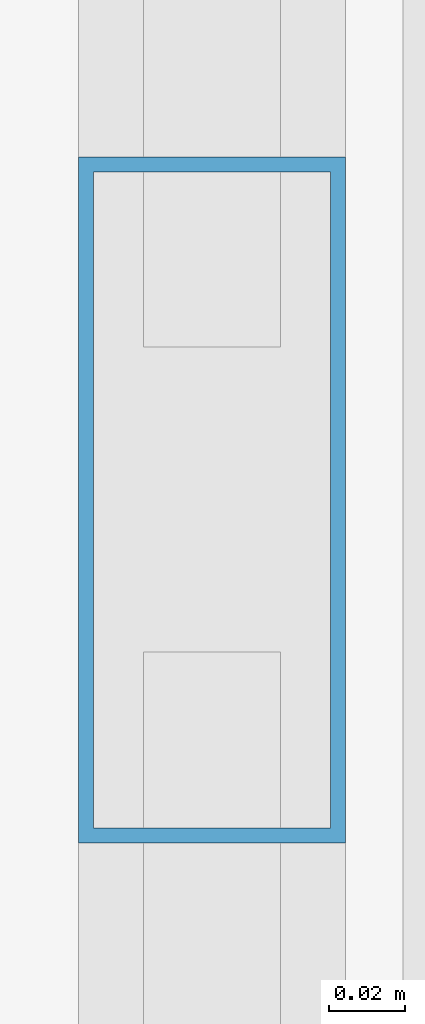
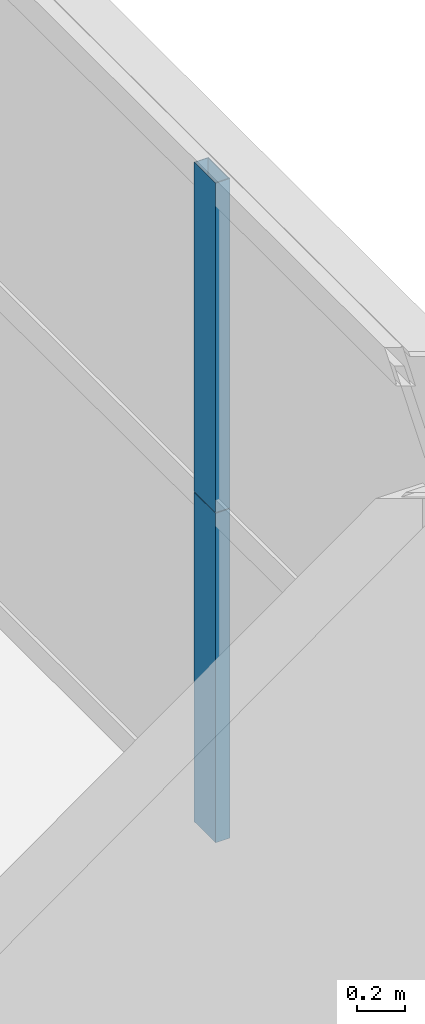
# One storey, part 30 of 41: 2 members, 1 element without a shape of its own.
"""IFC4 building model written with IfcOpenShell, lengths in metres."""

import ifcopenshell
import ifcopenshell.guid

model = None  # the IFC model being written
_history = None  # IfcOwnerHistory: only IFC2X3 demands one
_inside = {}  # id of a spatial element -> (the spatial element, [elements in it])
_under = {}  # id of a project, library or spatial element -> (it, [spatial elements below it])
_declared = {}  # id of a project -> (the project, [libraries it declares])
_typed = {}  # id of a type object -> (the type object, [elements of that type])
_made_of = {}  # id of a material, layer set ... -> (it, [elements and type objects made of it])


def new_model(schema):
    """Start an empty IFC model of exactly this schema.

    Asked for "IFC4X3", IfcOpenShell would pick the latest addendum, in which some entities
    have other attributes; the version numbers below select the first issue.
    IFC2X3 requires an IfcOwnerHistory on every rooted entity: one is made here for all.
    """
    global model, _history
    if schema == "IFC4X3":
        model = ifcopenshell.file(schema_version=(4, 3, 0, 0))
    else:
        model = ifcopenshell.file(schema=schema)
    _inside.clear()
    _under.clear()
    _declared.clear()
    _typed.clear()
    _made_of.clear()
    _history = None
    if model.schema == "IFC2X3":
        org = make("IfcOrganization", Name="unknown")
        user = make(
            "IfcPersonAndOrganization",
            ThePerson=make("IfcPerson", FamilyName="unknown"),
            TheOrganization=org,
        )
        app = make(
            "IfcApplication",
            ApplicationDeveloper=org,
            Version="unknown",
            ApplicationFullName="unknown",
            ApplicationIdentifier="unknown",
        )
        _history = make(
            "IfcOwnerHistory",
            OwningUser=user,
            OwningApplication=app,
            ChangeAction="ADDED",
            CreationDate=0,
        )
    return model


def make(cls, **values):
    """One entity of the class cls with the attributes given. An attribute that is None is left unset."""
    return model.create_entity(
        cls, **{name: value for name, value in values.items() if value is not None}
    )


def rooted(cls, **values):
    """An entity with a GlobalId (a new one), such as an element, a storey or a relation."""
    return make(cls, GlobalId=ifcopenshell.guid.new(), OwnerHistory=_history, **values)


def si_unit(unit_type, name, prefix=None):
    """IfcSIUnit, for example si_unit("LENGTHUNIT", "METRE", prefix="MILLI")."""
    return make("IfcSIUnit", UnitType=unit_type, Prefix=prefix, Name=name)


def assignment(units):
    """IfcUnitAssignment: the units of a project."""
    return None if units is None else make("IfcUnitAssignment", Units=units)


def point(xyz):
    """IfcCartesianPoint."""
    return None if xyz is None else make("IfcCartesianPoint", Coordinates=xyz)


def direction(xyz):
    """IfcDirection."""
    return None if xyz is None else make("IfcDirection", DirectionRatios=xyz)


def frame(location, z_axis=None, x_axis=None):
    """IfcAxis2Placement3D, a coordinate frame: its origin and axes. An axis left out is left unset."""
    return make(
        "IfcAxis2Placement3D",
        Location=point(location),
        Axis=direction(z_axis),
        RefDirection=direction(x_axis),
    )


def frame_2d(location, x_axis=None):
    """IfcAxis2Placement2D, a coordinate frame in the plane: its origin and x axis."""
    return make(
        "IfcAxis2Placement2D", Location=point(location), RefDirection=direction(x_axis)
    )


def origin():
    """The frame at (0, 0, 0) with its axes left unset."""
    return frame((0.0, 0.0, 0.0))


def origin_2d():
    """The frame at (0, 0) in the plane with its x axis left unset."""
    return frame_2d((0.0, 0.0))


def place(relative_to, where):
    """IfcLocalPlacement: puts the frame where relative to a parent placement (None: the world)."""
    return make(
        "IfcLocalPlacement", PlacementRelTo=relative_to, RelativePlacement=where
    )


def context(
    kind, dimensions, precision=None, world=None, true_north=None, identifier=None
):
    """IfcGeometricRepresentationContext, for example the 3D "Model" context."""
    return make(
        "IfcGeometricRepresentationContext",
        ContextIdentifier=identifier,
        ContextType=kind,
        CoordinateSpaceDimension=dimensions,
        Precision=precision,
        WorldCoordinateSystem=world,
        TrueNorth=true_north,
    )


def subcontext(parent, identifier, kind, view, scale=None):
    """IfcGeometricRepresentationSubContext, for example "Body" below "Model"."""
    return make(
        "IfcGeometricRepresentationSubContext",
        ContextIdentifier=identifier,
        ContextType=kind,
        ParentContext=parent,
        TargetScale=scale,
        TargetView=view,
    )


def project(units=None, contexts=None):
    """IfcProject with its units and contexts."""
    return rooted(
        "IfcProject",
        Name="project",
        RepresentationContexts=contexts,
        UnitsInContext=assignment(units),
    )


def spatial(cls, under=None, at=None, **own):
    """A site, building, storey or space (cls), placed at a placement, below another one or the project."""
    s = rooted(cls, ObjectPlacement=at, **own)
    if under is not None:
        _under.setdefault(under.id(), (under, []))[1].append(s)
    return s


def profile(cls, at=None, kind="AREA", **sizes):
    """A parametric profile (cls). Its sizes go by their IFC names, for example OverallWidth=200.0."""
    return make(cls, ProfileType=kind, Position=at, **sizes)


def hollow_rectangle(**sizes):
    """IfcRectangleHollowProfileDef."""
    return profile("IfcRectangleHollowProfileDef", **sizes)


def extrude(swept, where, along, depth):
    """IfcExtrudedAreaSolid: the profile swept, set in the frame where, extruded along a direction by depth."""
    return make(
        "IfcExtrudedAreaSolid",
        SweptArea=swept,
        Position=where,
        ExtrudedDirection=direction(along),
        Depth=depth,
    )


def shape(context_of_items, identifier, shape_type, items):
    """IfcShapeRepresentation: the items that make up one representation, for example the "Body"."""
    return make(
        "IfcShapeRepresentation",
        ContextOfItems=context_of_items,
        RepresentationIdentifier=identifier,
        RepresentationType=shape_type,
        Items=items,
    )


def source(mapping_origin, context_of_items, identifier, shape_type, items):
    """IfcRepresentationMap: a shape defined once, which mapped items show again and again."""
    return make(
        "IfcRepresentationMap",
        MappingOrigin=mapping_origin,
        MappedRepresentation=shape(context_of_items, identifier, shape_type, items),
    )


def transform(
    local_origin,
    x_axis=None,
    y_axis=None,
    z_axis=None,
    scale=None,
    scale2=None,
    scale3=None,
    uniform=True,
):
    """IfcCartesianTransformationOperator3D, or its non-uniform kind. x_axis, y_axis, z_axis: its Axis1, 2, 3."""
    if uniform:
        return make(
            "IfcCartesianTransformationOperator3D",
            Axis1=direction(x_axis),
            Axis2=direction(y_axis),
            LocalOrigin=point(local_origin),
            Scale=scale,
            Axis3=direction(z_axis),
        )
    return make(
        "IfcCartesianTransformationOperator3DnonUniform",
        Axis1=direction(x_axis),
        Axis2=direction(y_axis),
        LocalOrigin=point(local_origin),
        Scale=scale,
        Axis3=direction(z_axis),
        Scale2=scale2,
        Scale3=scale3,
    )


def mapped(mapping_source, mapping_target):
    """IfcMappedItem: shows the shape of a source again, moved by a transform."""
    return make(
        "IfcMappedItem", MappingSource=mapping_source, MappingTarget=mapping_target
    )


def material(Name=None, Category=None):
    """IfcMaterial."""
    return make("IfcMaterial", Name=Name, Category=Category)


def layer(
    of_material, thickness, ventilated=None, Name=None, Category=None, Priority=None
):
    """IfcMaterialLayer: one layer of a wall or slab, of a material (None: an air gap)."""
    return make(
        "IfcMaterialLayer",
        Material=of_material,
        LayerThickness=thickness,
        IsVentilated=ventilated,
        Name=Name,
        Category=Category,
        Priority=Priority,
    )


def layer_set(layers, Name=None):
    """IfcMaterialLayerSet."""
    return make("IfcMaterialLayerSet", MaterialLayers=layers, LayerSetName=Name)


def material_profile(
    of_material, cross_section, Name=None, Category=None, Priority=None
):
    """IfcMaterialProfile: a cross section and its material."""
    return make(
        "IfcMaterialProfile",
        Name=Name,
        Material=of_material,
        Profile=cross_section,
        Priority=Priority,
        Category=Category,
    )


def profile_set(profiles, Name=None, composite=None):
    """IfcMaterialProfileSet."""
    return make(
        "IfcMaterialProfileSet",
        Name=Name,
        MaterialProfiles=profiles,
        CompositeProfile=composite,
    )


def made_of(thing, what):
    """Note that an element or type object is made of a material, layer set ...; save() writes the relation."""
    if what is not None:
        _made_of.setdefault(what.id(), (what, []))[1].append(thing)
    return thing


def type_object(cls, material=None, **own):
    """A type object (cls), such as IfcWallType, which elements share."""
    return made_of(rooted(cls, **own), material)


def element(
    cls,
    number,
    at=None,
    inside=None,
    cuts=None,
    type_object=None,
    material=None,
    context=None,
    identifier="Body",
    shape_type=None,
    held_by="IfcProductDefinitionShape",
    body=None,
    shapes=None,
    **own,
):
    """One element of the class cls, such as IfcWall. Its Tag is "e" and its number.

    at: its placement. inside: the storey or other place that contains it. cuts: it is an
    opening in that element (IfcRelVoidsElement). A single representation is given by context,
    identifier, shape_type and body (its items); several are given by shapes. held_by: the class
    of the entity that holds the representations. save() writes the other relations.
    """
    e = rooted(cls, Tag="e%d" % number, ObjectPlacement=at, **own)
    if body is not None:
        shapes = [shape(context, identifier, shape_type, body)]
    if shapes is not None:
        e.Representation = make(held_by, Representations=shapes)
    if inside is not None:
        _inside.setdefault(inside.id(), (inside, []))[1].append(e)
    if cuts is not None:
        rooted(
            "IfcRelVoidsElement", RelatingBuildingElement=cuts, RelatedOpeningElement=e
        )
    if type_object is not None:
        _typed.setdefault(type_object.id(), (type_object, []))[1].append(e)
    return made_of(e, material)


def aggregate(whole, parts):
    """IfcRelAggregates: a whole, such as a stair, and the parts it consists of."""
    return rooted("IfcRelAggregates", RelatingObject=whole, RelatedObjects=parts)


def save(model, path):
    """Write the relations noted so far, then the file.

    IfcRelAggregates (storeys below a building ...), IfcRelContainedInSpatialStructure (elements
    in a storey), IfcRelDefinesByType, IfcRelAssociatesMaterial and IfcRelDeclares: one each for
    every whole, place, type object, material and project.
    """
    for whole, parts in _under.values():
        aggregate(whole, parts)
    for where, things in _inside.values():
        rooted(
            "IfcRelContainedInSpatialStructure",
            RelatedElements=things,
            RelatingStructure=where,
        )
    for kind, things in _typed.values():
        rooted("IfcRelDefinesByType", RelatedObjects=things, RelatingType=kind)
    for what, things in _made_of.values():
        rooted("IfcRelAssociatesMaterial", RelatedObjects=things, RelatingMaterial=what)
    for by, libraries in _declared.values():
        rooted("IfcRelDeclares", RelatingContext=by, RelatedDefinitions=libraries)
    model.write(path)


model = new_model("IFC4")

# Units and contexts
model_context = context("Model", 3, precision=1e-05, world=origin(), true_north=direction((0.0, 1.0)))
body_context = subcontext(model_context, "Body", "Model", "MODEL_VIEW")
ifc_project = project(units=[si_unit("LENGTHUNIT", "METRE"), si_unit("AREAUNIT", "SQUARE_METRE"), si_unit("VOLUMEUNIT", "CUBIC_METRE"), si_unit("PLANEANGLEUNIT", "RADIAN"), si_unit("MASSUNIT", "GRAM", prefix="KILO"), si_unit("THERMODYNAMICTEMPERATUREUNIT", "KELVIN"), si_unit("POWERUNIT", "WATT")], contexts=[model_context])

# Site, building, storey
site_placement = place(None, origin())
site = spatial("IfcSite", under=ifc_project, at=site_placement, CompositionType="ELEMENT")
building_placement = place(site_placement, origin())
building = spatial("IfcBuilding", under=site, at=building_placement, Name="Yuzanri Waterfront Tower", CompositionType="ELEMENT")
storey_placement = place(building_placement, frame((0.0, 0.0, 122.60009765625)))
storey = spatial("IfcBuildingStorey", under=building, at=storey_placement, Name="L32", CompositionType="ELEMENT", Elevation=122.60009765625)

# Curtain wall, members
ifc_material_1 = material(Name="Anodized Architectural Bronze", Category="metal")
ifc_layer = layer(ifc_material_1, 0.159912109375)
ifc_layer_set = layer_set([ifc_layer], Name="Anodized Architectural Bronze")
curtain_wall_type = type_object("IfcCurtainWallType", Name="Anodized Bronze Hotel Upper-Tier Solar-Control Unitized Curtain Wall 7800", PredefinedType="NOTDEFINED", material=ifc_layer_set)
curtain_wall_placement = place(storey_placement, origin())
curtain_wall = element("IfcCurtainWall", 1, at=curtain_wall_placement, inside=storey, type_object=curtain_wall_type, Name="L32 Curtain Wall CW-L32-ER", PredefinedType="NOTDEFINED")
ifc_material_2 = material(Name="Anodized Architectural Bronze", Category="metal")
ifc_material_profile = material_profile(ifc_material_2, hollow_rectangle(XDim=0.070068359375, YDim=0.179931640625, WallThickness=0.00390625, at=origin_2d()), Name="CWM 70x180")
ifc_profile_set = profile_set([ifc_material_profile], Name="Anodized Architectural Bronze")
member_type = type_object("IfcMemberType", Name="Anodized Bronze Standard Curtain-Wall Mullion 70x180", PredefinedType="MULLION", material=ifc_profile_set)
shared_shape = source(origin(), body_context, "Body", "SweptSolid", [
    extrude(hollow_rectangle(XDim=0.070068359375, YDim=0.179931640625, WallThickness=0.00390625, at=origin_2d()), origin(), (0.0, 0.0, 1.0), 1.68798828125),
])
member_1_placement = place(storey_placement, frame((60.449951171875, 34.14990234375, 0.0), z_axis=(0.0, 0.0, 1.0), x_axis=(1.0, 0.0, 0.0)))
member_1 = element("IfcMember", 2, at=member_1_placement, type_object=member_type, Name="CW-L32-ER Lower Mullion 01", PredefinedType="MULLION", context=body_context, shape_type="MappedRepresentation", body=[
    mapped(shared_shape, transform((0.0, 0.0, 0.0), scale=1.0)),
])
member_2_placement = place(storey_placement, frame((60.449951171875, 34.14990234375, 1.69189453125), z_axis=(0.0, 0.0, 1.0), x_axis=(1.0, 0.0, 0.0)))
member_2 = element("IfcMember", 3, at=member_2_placement, type_object=member_type, Name="CW-L32-ER Upper Mullion 01", PredefinedType="MULLION", context=body_context, shape_type="MappedRepresentation", body=[
    mapped(shared_shape, transform((0.0, 0.0, 0.0), scale=1.0)),
])
aggregate(curtain_wall, [member_1, member_2])

save(model, "model.ifc")
